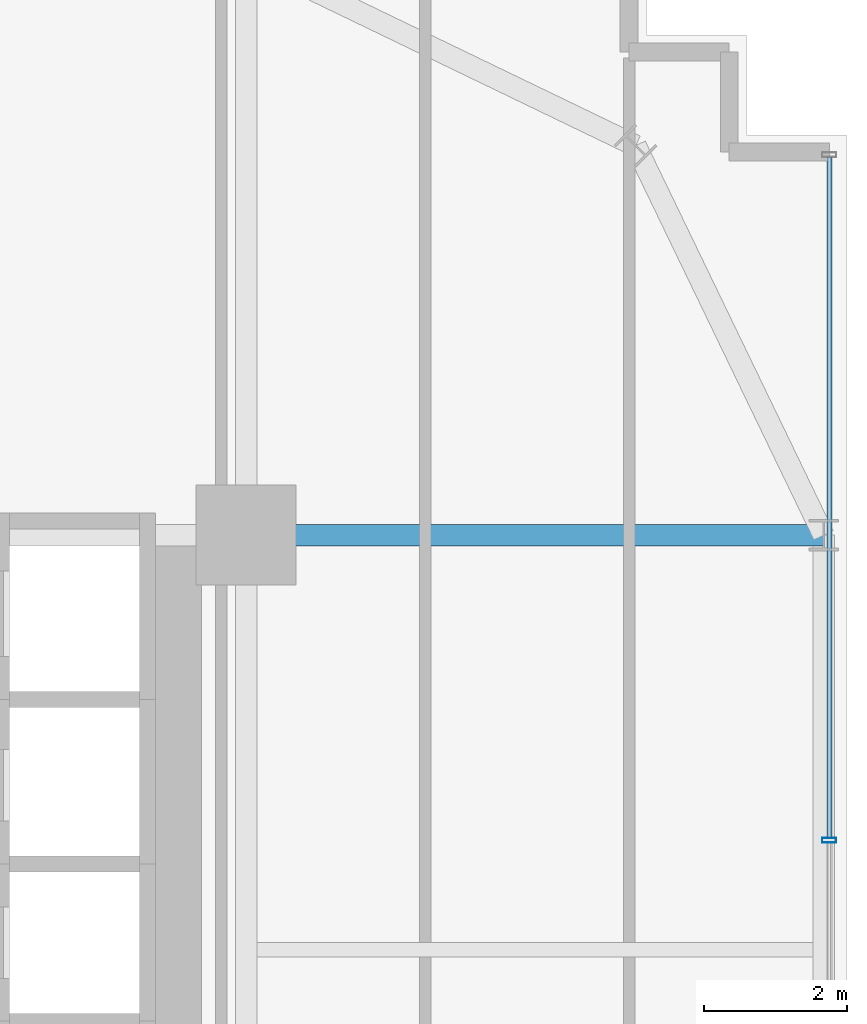
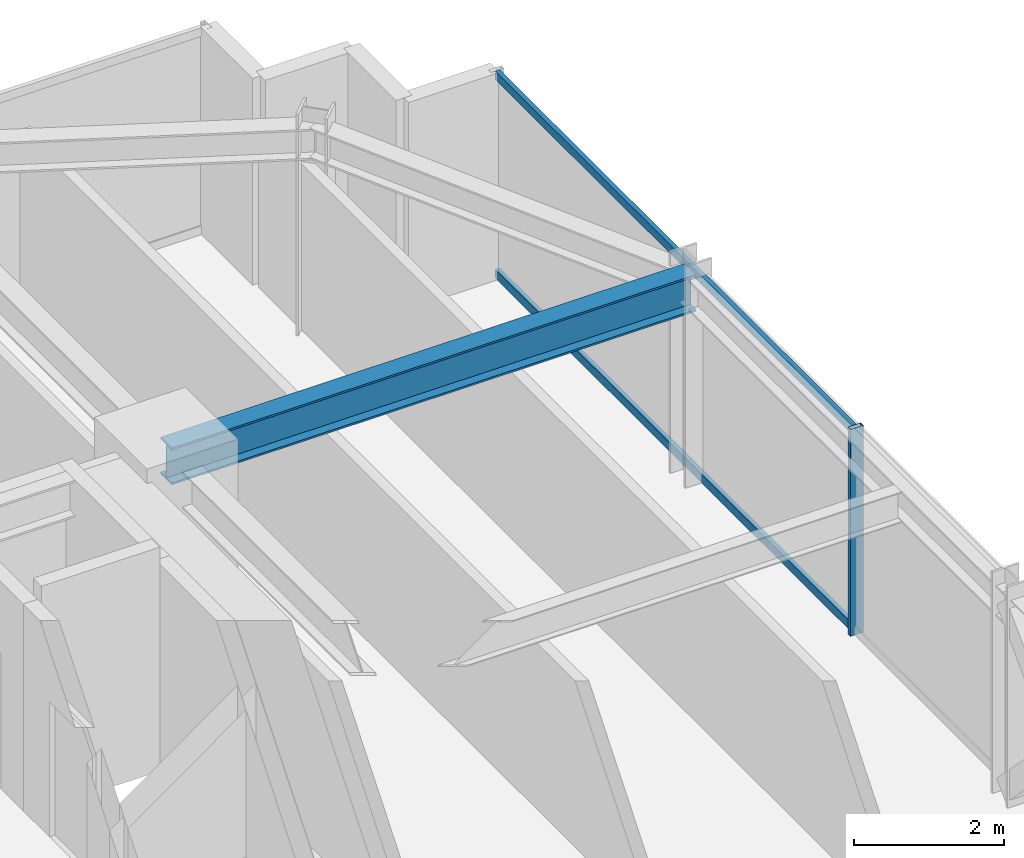
# One storey, part 27 of 37: 3 members, 1 beam, 1 element without a shape of its own.
"""IFC4 building model written with IfcOpenShell, lengths in metres."""

from ifc_helpers import new_model, si_unit, direction, frame, origin, origin_2d, place, context, subcontext, project, spatial, hollow_rectangle, i_section, extrude, source, transform, mapped, material, material_profile, profile_set, type_object, element, aggregate, save


model = new_model("IFC4")

# Units and contexts
model_context = context("Model", 3, precision=1e-05, world=origin(), true_north=direction((0.0, 1.0)))
body_context = subcontext(model_context, "Body", "Model", "MODEL_VIEW")
ifc_project = project(units=[si_unit("LENGTHUNIT", "METRE"), si_unit("AREAUNIT", "SQUARE_METRE"), si_unit("VOLUMEUNIT", "CUBIC_METRE"), si_unit("PLANEANGLEUNIT", "RADIAN"), si_unit("MASSUNIT", "GRAM", prefix="KILO")], contexts=[model_context])

# Site, building, storey
site_placement = place(None, origin())
site = spatial("IfcSite", under=ifc_project, at=site_placement, CompositionType="ELEMENT")
building_placement = place(site_placement, origin())
building = spatial("IfcBuilding", under=site, at=building_placement, Name="Nahalor Promenade Grand Hotel", CompositionType="ELEMENT")
storey_placement = place(building_placement, frame((0.0, 0.0, 65.25)))
storey = spatial("IfcBuildingStorey", under=building, at=storey_placement, Name="L15", CompositionType="ELEMENT", Elevation=65.25)

# Beam
ifc_material_1 = material(Name="Steel S355JR", Category="steel")
ifc_material_profile_1 = material_profile(ifc_material_1, i_section(OverallWidth=0.3, OverallDepth=0.6, WebThickness=0.0155, FlangeThickness=0.03, at=origin_2d()), Name="HEB 600")
ifc_profile_set_1 = profile_set([ifc_material_profile_1], Name="Steel S355JR")
beam_type = type_object("IfcBeamType", Name="Beam-Girder-HEB600", PredefinedType="BEAM", material=ifc_profile_set_1)
shared_shape_1 = source(origin(), body_context, "Body", "SweptSolid", [
    extrude(i_section(OverallWidth=0.3, OverallDepth=0.6, WebThickness=0.0155, FlangeThickness=0.03, at=origin_2d()), origin(), (0.0, 0.0, 1.0), 8.080078125),
])
beam_placement = place(storey_placement, frame((17.0, 17.0, 3.070068359375), z_axis=(1.0, 0.0, 0.0), x_axis=(0.0, 1.0, 0.0)))
element("IfcBeam", 1, at=beam_placement, inside=storey, type_object=beam_type, Name="BM-L15-GX-3-6", PredefinedType="BEAM", context=body_context, shape_type="MappedRepresentation", body=[
    mapped(shared_shape_1, transform((0.0, 0.0, 0.0), scale=1.0)),
])

# Curtain wall, members
ifc_material_2 = material(Name="Anodised Bronze Aluminium EN AW-6063 T6", Category="aluminium")
curtain_wall_type = type_object("IfcCurtainWallType", Name="CW3 Elliptical-Void Collar Unitised Curtain Wall", PredefinedType="USERDEFINED", material=ifc_material_2)
curtain_wall_placement = place(storey_placement, origin())
curtain_wall = element("IfcCurtainWall", 2, at=curtain_wall_placement, inside=storey, type_object=curtain_wall_type, Name="L15 Curtain Wall CW-L15-E-2", ObjectType="UNITISED_CURTAIN_WALL", PredefinedType="USERDEFINED")
ifc_material_profile_2 = material_profile(ifc_material_2, hollow_rectangle(XDim=0.07, YDim=0.2, WallThickness=0.005, at=origin_2d()), Name="CWM 70x200x5")
ifc_profile_set_2 = profile_set([ifc_material_profile_2], Name="Anodised Bronze Aluminium EN AW-6063 T6")
member_type_1 = type_object("IfcMemberType", Name="CWM3 Void Collar Mullion 70x200", PredefinedType="MULLION", material=ifc_profile_set_2)
shared_shape_2 = source(origin(), body_context, "Body", "SweptSolid", [
    extrude(hollow_rectangle(XDim=0.07, YDim=0.2, WallThickness=0.005, at=origin_2d()), origin(), (0.0, 0.0, 1.0), 3.3701171875),
])
member_1_placement = place(storey_placement, frame((25.159912109375, 12.72998046875, 0.0), z_axis=(0.0, 0.0, 1.0), x_axis=(0.0, 1.0, 0.0)))
member_1 = element("IfcMember", 3, at=member_1_placement, type_object=member_type_1, Name="CW-L15-E-2 Mullion 1", PredefinedType="MULLION", context=body_context, shape_type="MappedRepresentation", body=[
    mapped(shared_shape_2, transform((0.0, 0.0, 0.0), scale=1.0)),
])
ifc_material_profile_3 = material_profile(ifc_material_2, hollow_rectangle(XDim=0.07, YDim=0.14, WallThickness=0.004, at=origin_2d()), Name="CWT 70x140x4")
ifc_profile_set_3 = profile_set([ifc_material_profile_3], Name="Anodised Bronze Aluminium EN AW-6063 T6")
member_type_2 = type_object("IfcMemberType", Name="CWT3 Void Collar Transom 70x140", PredefinedType="USERDEFINED", material=ifc_profile_set_3)
shared_shape_3 = source(origin(), body_context, "Body", "SweptSolid", [
    extrude(hollow_rectangle(XDim=0.07, YDim=0.14, WallThickness=0.004, at=origin_2d()), origin(), (0.0, 0.0, 1.0), 9.525146484375),
])
member_2_placement = place(storey_placement, frame((25.159912109375, 12.764892578125, 0.070068359375), z_axis=(0.0, 1.0, 0.0), x_axis=(-1.0, 0.0, 0.0)))
member_2 = element("IfcMember", 4, at=member_2_placement, type_object=member_type_2, Name="CW-L15-E-2 Transom 1-0", ObjectType="TRANSOM", PredefinedType="USERDEFINED", context=body_context, shape_type="MappedRepresentation", body=[
    mapped(shared_shape_3, transform((0.0, 0.0, 0.0), scale=1.0)),
])
member_3_placement = place(storey_placement, frame((25.159912109375, 12.764892578125, 3.300048828125), z_axis=(0.0, 1.0, 0.0), x_axis=(-1.0, 0.0, 0.0)))
member_3 = element("IfcMember", 5, at=member_3_placement, type_object=member_type_2, Name="CW-L15-E-2 Transom 1-1", ObjectType="TRANSOM", PredefinedType="USERDEFINED", context=body_context, shape_type="MappedRepresentation", body=[
    mapped(shared_shape_3, transform((0.0, 0.0, 0.0), scale=1.0)),
])
aggregate(curtain_wall, [member_1, member_2, member_3])

save(model, "model.ifc")
